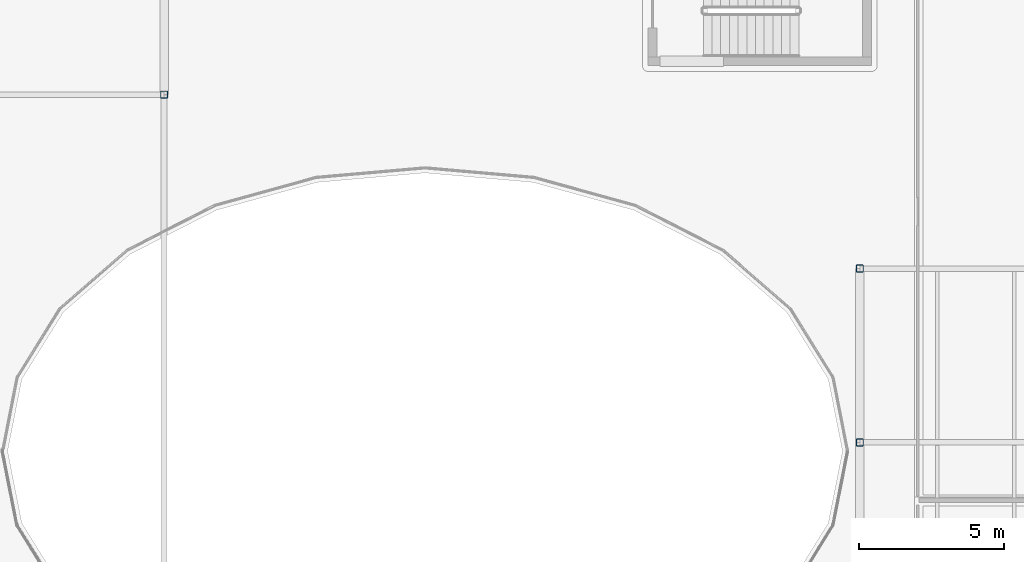
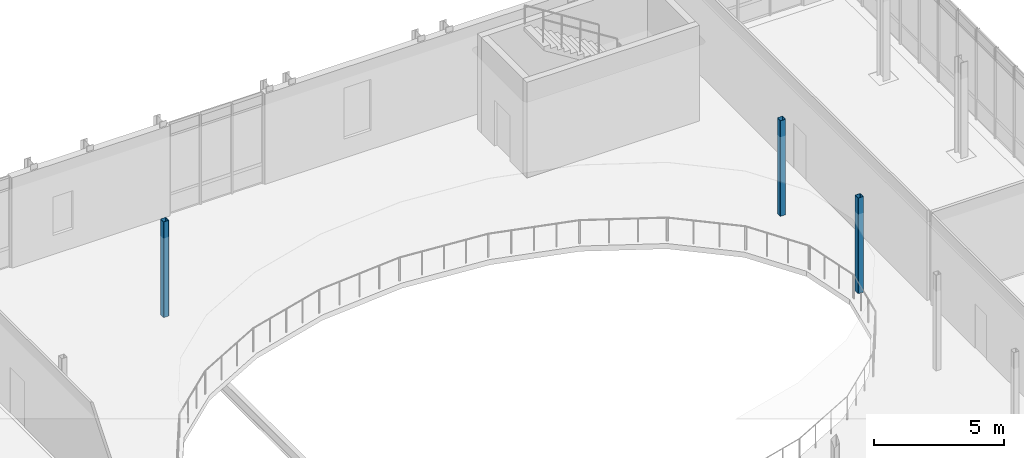
# One storey, part 7 of 100: 3 columns.
"""IFC4 building model written with IfcOpenShell, lengths in metres."""

from ifc_helpers import new_model, si_unit, direction, frame, origin, origin_2d, place, context, subcontext, project, spatial, hollow_rectangle, extrude, material, material_profile, profile_set, type_object, element, save


model = new_model("IFC4")

# Units and contexts
model_context = context("Model", 3, precision=1e-05, world=origin(), true_north=direction((0.0, 1.0)))
body_context = subcontext(model_context, "Body", "Model", "MODEL_VIEW")
ifc_project = project(units=[si_unit("LENGTHUNIT", "METRE"), si_unit("AREAUNIT", "SQUARE_METRE"), si_unit("VOLUMEUNIT", "CUBIC_METRE"), si_unit("PLANEANGLEUNIT", "RADIAN"), si_unit("MASSUNIT", "GRAM", prefix="KILO")], contexts=[model_context])

# Site, building, storey
site_placement = place(None, origin())
site = spatial("IfcSite", under=ifc_project, at=site_placement, CompositionType="ELEMENT")
building_placement = place(site_placement, origin())
building = spatial("IfcBuilding", under=site, at=building_placement, Name="Cymarion Research Institute", CompositionType="ELEMENT")
storey_placement = place(building_placement, frame((0.0, 0.0, 9.300048828125)))
storey = spatial("IfcBuildingStorey", under=building, at=storey_placement, Name="L02", CompositionType="ELEMENT", Elevation=9.300048828125)

# Columns
ifc_material = material(Name="Steel S355", Category="steel")
ifc_material_profile = material_profile(ifc_material, hollow_rectangle(XDim=0.25, YDim=0.25, WallThickness=0.012451171875, InnerFilletRadius=0.018798828125, OuterFilletRadius=0.03125, at=origin_2d()), Name="SHS 250x250x12.5")
ifc_profile_set = profile_set([ifc_material_profile], Name="Steel S355")
column_type = type_object("IfcColumnType", Name="STRUCTURAL COLUMN C15 SHS 250x250x12.5", PredefinedType="COLUMN", material=ifc_profile_set)
for number, where, z_axis, x_axis, name in (
    (1, (70.60009765625, 35.5, 0.0), (0.0, 0.0, 1.0), (1.0, 0.0, 0.0), "L02 V2 column C15 #786"),
    (2, (94.60009765625, 23.5, 0.0), (0.0, 0.0, 1.0), (1.0, 0.0, 0.0), "L02 V2 column C15 #806"),
    (3, (94.60009765625, 29.5, 0.0), (0.0, 0.0, 1.0), (1.0, 0.0, 0.0), "L02 V2 column C15 #807"),
):
    element("IfcColumn", number, at=place(storey_placement, frame(where, z_axis=z_axis, x_axis=x_axis)), inside=storey, type_object=column_type, Name=name, PredefinedType="COLUMN", context=body_context, shape_type="SweptSolid", body=[
        extrude(hollow_rectangle(XDim=0.25, YDim=0.25, WallThickness=0.012451171875, InnerFilletRadius=0.018798828125, OuterFilletRadius=0.03125, at=origin_2d()), origin(), (0.0, 0.0, 1.0), 4.5),
    ])

save(model, "model.ifc")
